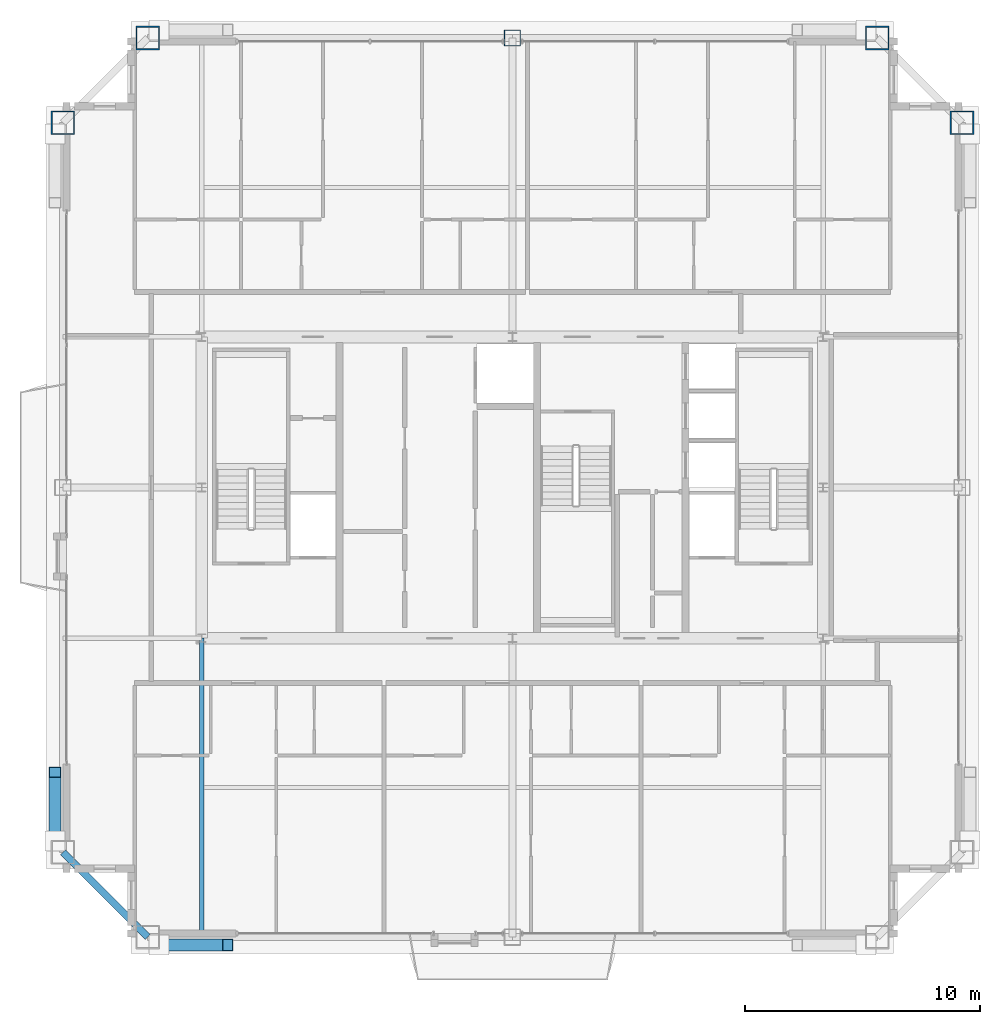
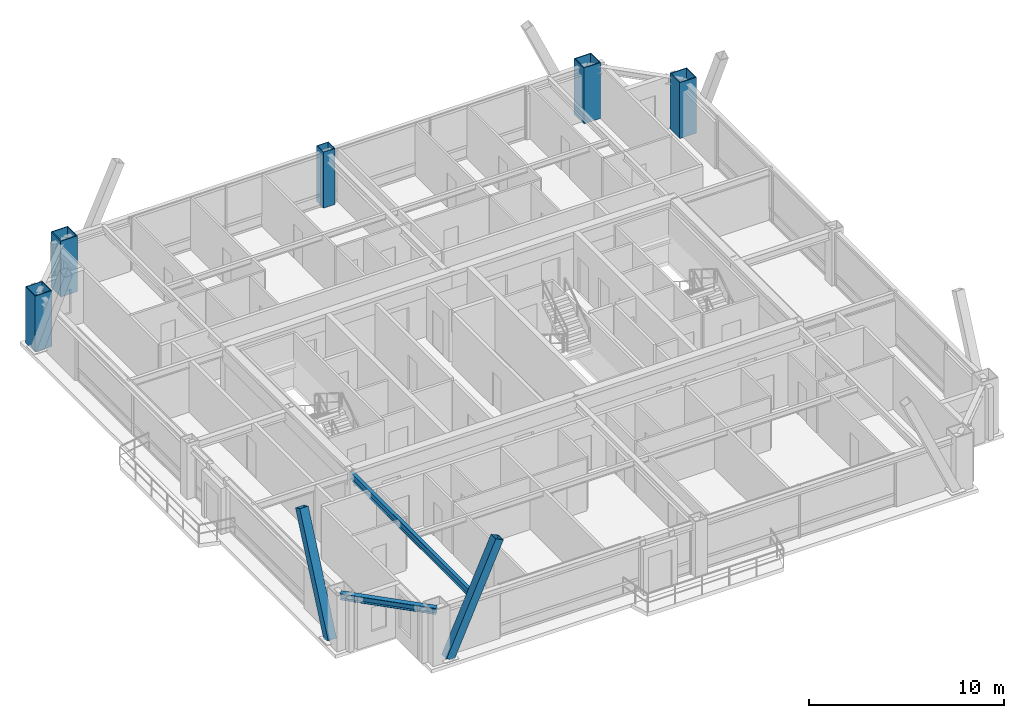
# One storey, part 3 of 33: 5 columns, 2 beams, 2 members.
"""IFC4 building model written with IfcOpenShell, lengths in metres."""

import ifcopenshell
import ifcopenshell.guid

model = None  # the IFC model being written
_history = None  # IfcOwnerHistory: only IFC2X3 demands one
_inside = {}  # id of a spatial element -> (the spatial element, [elements in it])
_under = {}  # id of a project, library or spatial element -> (it, [spatial elements below it])
_declared = {}  # id of a project -> (the project, [libraries it declares])
_typed = {}  # id of a type object -> (the type object, [elements of that type])
_made_of = {}  # id of a material, layer set ... -> (it, [elements and type objects made of it])


def new_model(schema):
    """Start an empty IFC model of exactly this schema.

    Asked for "IFC4X3", IfcOpenShell would pick the latest addendum, in which some entities
    have other attributes; the version numbers below select the first issue.
    IFC2X3 requires an IfcOwnerHistory on every rooted entity: one is made here for all.
    """
    global model, _history
    if schema == "IFC4X3":
        model = ifcopenshell.file(schema_version=(4, 3, 0, 0))
    else:
        model = ifcopenshell.file(schema=schema)
    _inside.clear()
    _under.clear()
    _declared.clear()
    _typed.clear()
    _made_of.clear()
    _history = None
    if model.schema == "IFC2X3":
        org = make("IfcOrganization", Name="unknown")
        user = make(
            "IfcPersonAndOrganization",
            ThePerson=make("IfcPerson", FamilyName="unknown"),
            TheOrganization=org,
        )
        app = make(
            "IfcApplication",
            ApplicationDeveloper=org,
            Version="unknown",
            ApplicationFullName="unknown",
            ApplicationIdentifier="unknown",
        )
        _history = make(
            "IfcOwnerHistory",
            OwningUser=user,
            OwningApplication=app,
            ChangeAction="ADDED",
            CreationDate=0,
        )
    return model


def make(cls, **values):
    """One entity of the class cls with the attributes given. An attribute that is None is left unset."""
    return model.create_entity(
        cls, **{name: value for name, value in values.items() if value is not None}
    )


def rooted(cls, **values):
    """An entity with a GlobalId (a new one), such as an element, a storey or a relation."""
    return make(cls, GlobalId=ifcopenshell.guid.new(), OwnerHistory=_history, **values)


def si_unit(unit_type, name, prefix=None):
    """IfcSIUnit, for example si_unit("LENGTHUNIT", "METRE", prefix="MILLI")."""
    return make("IfcSIUnit", UnitType=unit_type, Prefix=prefix, Name=name)


def assignment(units):
    """IfcUnitAssignment: the units of a project."""
    return None if units is None else make("IfcUnitAssignment", Units=units)


def point(xyz):
    """IfcCartesianPoint."""
    return None if xyz is None else make("IfcCartesianPoint", Coordinates=xyz)


def direction(xyz):
    """IfcDirection."""
    return None if xyz is None else make("IfcDirection", DirectionRatios=xyz)


def frame(location, z_axis=None, x_axis=None):
    """IfcAxis2Placement3D, a coordinate frame: its origin and axes. An axis left out is left unset."""
    return make(
        "IfcAxis2Placement3D",
        Location=point(location),
        Axis=direction(z_axis),
        RefDirection=direction(x_axis),
    )


def frame_2d(location, x_axis=None):
    """IfcAxis2Placement2D, a coordinate frame in the plane: its origin and x axis."""
    return make(
        "IfcAxis2Placement2D", Location=point(location), RefDirection=direction(x_axis)
    )


def origin():
    """The frame at (0, 0, 0) with its axes left unset."""
    return frame((0.0, 0.0, 0.0))


def origin_2d():
    """The frame at (0, 0) in the plane with its x axis left unset."""
    return frame_2d((0.0, 0.0))


def place(relative_to, where):
    """IfcLocalPlacement: puts the frame where relative to a parent placement (None: the world)."""
    return make(
        "IfcLocalPlacement", PlacementRelTo=relative_to, RelativePlacement=where
    )


def context(
    kind, dimensions, precision=None, world=None, true_north=None, identifier=None
):
    """IfcGeometricRepresentationContext, for example the 3D "Model" context."""
    return make(
        "IfcGeometricRepresentationContext",
        ContextIdentifier=identifier,
        ContextType=kind,
        CoordinateSpaceDimension=dimensions,
        Precision=precision,
        WorldCoordinateSystem=world,
        TrueNorth=true_north,
    )


def subcontext(parent, identifier, kind, view, scale=None):
    """IfcGeometricRepresentationSubContext, for example "Body" below "Model"."""
    return make(
        "IfcGeometricRepresentationSubContext",
        ContextIdentifier=identifier,
        ContextType=kind,
        ParentContext=parent,
        TargetScale=scale,
        TargetView=view,
    )


def project(units=None, contexts=None):
    """IfcProject with its units and contexts."""
    return rooted(
        "IfcProject",
        Name="project",
        RepresentationContexts=contexts,
        UnitsInContext=assignment(units),
    )


def spatial(cls, under=None, at=None, **own):
    """A site, building, storey or space (cls), placed at a placement, below another one or the project."""
    s = rooted(cls, ObjectPlacement=at, **own)
    if under is not None:
        _under.setdefault(under.id(), (under, []))[1].append(s)
    return s


def profile(cls, at=None, kind="AREA", **sizes):
    """A parametric profile (cls). Its sizes go by their IFC names, for example OverallWidth=200.0."""
    return make(cls, ProfileType=kind, Position=at, **sizes)


def hollow_rectangle(**sizes):
    """IfcRectangleHollowProfileDef."""
    return profile("IfcRectangleHollowProfileDef", **sizes)


def i_section(**sizes):
    """IfcIShapeProfileDef."""
    return profile("IfcIShapeProfileDef", **sizes)


def extrude(swept, where, along, depth):
    """IfcExtrudedAreaSolid: the profile swept, set in the frame where, extruded along a direction by depth."""
    return make(
        "IfcExtrudedAreaSolid",
        SweptArea=swept,
        Position=where,
        ExtrudedDirection=direction(along),
        Depth=depth,
    )


def shape(context_of_items, identifier, shape_type, items):
    """IfcShapeRepresentation: the items that make up one representation, for example the "Body"."""
    return make(
        "IfcShapeRepresentation",
        ContextOfItems=context_of_items,
        RepresentationIdentifier=identifier,
        RepresentationType=shape_type,
        Items=items,
    )


def source(mapping_origin, context_of_items, identifier, shape_type, items):
    """IfcRepresentationMap: a shape defined once, which mapped items show again and again."""
    return make(
        "IfcRepresentationMap",
        MappingOrigin=mapping_origin,
        MappedRepresentation=shape(context_of_items, identifier, shape_type, items),
    )


def transform(
    local_origin,
    x_axis=None,
    y_axis=None,
    z_axis=None,
    scale=None,
    scale2=None,
    scale3=None,
    uniform=True,
):
    """IfcCartesianTransformationOperator3D, or its non-uniform kind. x_axis, y_axis, z_axis: its Axis1, 2, 3."""
    if uniform:
        return make(
            "IfcCartesianTransformationOperator3D",
            Axis1=direction(x_axis),
            Axis2=direction(y_axis),
            LocalOrigin=point(local_origin),
            Scale=scale,
            Axis3=direction(z_axis),
        )
    return make(
        "IfcCartesianTransformationOperator3DnonUniform",
        Axis1=direction(x_axis),
        Axis2=direction(y_axis),
        LocalOrigin=point(local_origin),
        Scale=scale,
        Axis3=direction(z_axis),
        Scale2=scale2,
        Scale3=scale3,
    )


def mapped(mapping_source, mapping_target):
    """IfcMappedItem: shows the shape of a source again, moved by a transform."""
    return make(
        "IfcMappedItem", MappingSource=mapping_source, MappingTarget=mapping_target
    )


def material(Name=None, Category=None):
    """IfcMaterial."""
    return make("IfcMaterial", Name=Name, Category=Category)


def material_profile(
    of_material, cross_section, Name=None, Category=None, Priority=None
):
    """IfcMaterialProfile: a cross section and its material."""
    return make(
        "IfcMaterialProfile",
        Name=Name,
        Material=of_material,
        Profile=cross_section,
        Priority=Priority,
        Category=Category,
    )


def profile_set(profiles, Name=None, composite=None):
    """IfcMaterialProfileSet."""
    return make(
        "IfcMaterialProfileSet",
        Name=Name,
        MaterialProfiles=profiles,
        CompositeProfile=composite,
    )


def made_of(thing, what):
    """Note that an element or type object is made of a material, layer set ...; save() writes the relation."""
    if what is not None:
        _made_of.setdefault(what.id(), (what, []))[1].append(thing)
    return thing


def type_object(cls, material=None, **own):
    """A type object (cls), such as IfcWallType, which elements share."""
    return made_of(rooted(cls, **own), material)


def element(
    cls,
    number,
    at=None,
    inside=None,
    cuts=None,
    type_object=None,
    material=None,
    context=None,
    identifier="Body",
    shape_type=None,
    held_by="IfcProductDefinitionShape",
    body=None,
    shapes=None,
    **own,
):
    """One element of the class cls, such as IfcWall. Its Tag is "e" and its number.

    at: its placement. inside: the storey or other place that contains it. cuts: it is an
    opening in that element (IfcRelVoidsElement). A single representation is given by context,
    identifier, shape_type and body (its items); several are given by shapes. held_by: the class
    of the entity that holds the representations. save() writes the other relations.
    """
    e = rooted(cls, Tag="e%d" % number, ObjectPlacement=at, **own)
    if body is not None:
        shapes = [shape(context, identifier, shape_type, body)]
    if shapes is not None:
        e.Representation = make(held_by, Representations=shapes)
    if inside is not None:
        _inside.setdefault(inside.id(), (inside, []))[1].append(e)
    if cuts is not None:
        rooted(
            "IfcRelVoidsElement", RelatingBuildingElement=cuts, RelatedOpeningElement=e
        )
    if type_object is not None:
        _typed.setdefault(type_object.id(), (type_object, []))[1].append(e)
    return made_of(e, material)


def aggregate(whole, parts):
    """IfcRelAggregates: a whole, such as a stair, and the parts it consists of."""
    return rooted("IfcRelAggregates", RelatingObject=whole, RelatedObjects=parts)


def save(model, path):
    """Write the relations noted so far, then the file.

    IfcRelAggregates (storeys below a building ...), IfcRelContainedInSpatialStructure (elements
    in a storey), IfcRelDefinesByType, IfcRelAssociatesMaterial and IfcRelDeclares: one each for
    every whole, place, type object, material and project.
    """
    for whole, parts in _under.values():
        aggregate(whole, parts)
    for where, things in _inside.values():
        rooted(
            "IfcRelContainedInSpatialStructure",
            RelatedElements=things,
            RelatingStructure=where,
        )
    for kind, things in _typed.values():
        rooted("IfcRelDefinesByType", RelatedObjects=things, RelatingType=kind)
    for what, things in _made_of.values():
        rooted("IfcRelAssociatesMaterial", RelatedObjects=things, RelatingMaterial=what)
    for by, libraries in _declared.values():
        rooted("IfcRelDeclares", RelatingContext=by, RelatedDefinitions=libraries)
    model.write(path)


model = new_model("IFC4")

# Units and contexts
model_context = context("Model", 3, precision=1e-05, world=origin(), true_north=direction((0.0, 1.0)))
body_context = subcontext(model_context, "Body", "Model", "MODEL_VIEW")
ifc_project = project(units=[si_unit("LENGTHUNIT", "METRE"), si_unit("AREAUNIT", "SQUARE_METRE"), si_unit("VOLUMEUNIT", "CUBIC_METRE"), si_unit("PLANEANGLEUNIT", "RADIAN"), si_unit("MASSUNIT", "GRAM", prefix="KILO"), si_unit("THERMODYNAMICTEMPERATUREUNIT", "KELVIN"), si_unit("POWERUNIT", "WATT")], contexts=[model_context])

# Site, building, storey
site_placement = place(None, origin())
site = spatial("IfcSite", under=ifc_project, at=site_placement, CompositionType="ELEMENT")
building_placement = place(site_placement, origin())
building = spatial("IfcBuilding", under=site, at=building_placement, Name="Yuzanri Waterfront Tower", CompositionType="ELEMENT")
storey_placement = place(building_placement, frame((0.0, 0.0, 292.60009765625)))
storey = spatial("IfcBuildingStorey", under=building, at=storey_placement, Name="L78", CompositionType="ELEMENT", Elevation=292.60009765625)

# Columns
ifc_material_1 = material(Name="Steel Q355B", Category="steel")
ifc_material_profile_1 = material_profile(ifc_material_1, hollow_rectangle(XDim=0.699951171875, YDim=0.699951171875, WallThickness=0.031982421875, at=origin_2d()), Name="RHS 700x700x32")
ifc_profile_set_1 = profile_set([ifc_material_profile_1], Name="Steel Q355B")
column_type_1 = type_object("IfcColumnType", Name="Frame Column Q355B RHS 700x700x32", PredefinedType="COLUMN", material=ifc_profile_set_1)
shared_shape_1 = source(origin(), body_context, "Body", "SweptSolid", [
    extrude(hollow_rectangle(XDim=0.699951171875, YDim=0.699951171875, WallThickness=0.031982421875, at=origin_2d()), origin(), (0.0, 0.0, 1.0), 3.5),
])
column_placement = place(storey_placement, frame((37.0, 44.89990234375, 0.0), z_axis=(0.0, 0.0, 1.0), x_axis=(1.0, 0.0, 0.0)))
element("IfcColumn", 1, at=column_placement, inside=storey, type_object=column_type_1, Name="L78 Perimeter Frame Column N2", PredefinedType="COLUMN", context=body_context, shape_type="MappedRepresentation", body=[
    mapped(shared_shape_1, transform((0.0, 0.0, 0.0), scale=1.0)),
])
ifc_material_2 = material(Name="Steel Q390GJC", Category="steel")
ifc_material_profile_2 = material_profile(ifc_material_2, hollow_rectangle(XDim=1.0, YDim=1.0, WallThickness=0.048095703125, at=origin_2d()), Name="RHS 1000x1000x48")
ifc_profile_set_2 = profile_set([ifc_material_profile_2], Name="Steel Q390GJC")
column_type_2 = type_object("IfcColumnType", Name="Mega Column Q390GJC RHS 1000x1000x48", PredefinedType="COLUMN", material=ifc_profile_set_2)
shared_shape_2 = source(origin(), body_context, "Body", "SweptSolid", [
    extrude(hollow_rectangle(XDim=1.0, YDim=1.0, WallThickness=0.048095703125, at=origin_2d()), origin(), (0.0, 0.0, 1.0), 3.5),
])
for number, where, z_axis, x_axis, name in (
    (2, (21.5, 44.89990234375, 0.0), (0.0, 0.0, 1.0), (1.0, 0.0, 0.0), "L78 Perimeter Mega Column N1"),
    (3, (52.5, 44.89990234375, 0.0), (0.0, 0.0, 1.0), (1.0, 0.0, 0.0), "L78 Perimeter Mega Column N3"),
    (4, (17.89990234375, 41.300048828125, 0.0), (0.0, 0.0, 1.0), (1.0, 0.0, 0.0), "L78 Perimeter Mega Column W3"),
    (5, (56.10009765625, 41.300048828125, 0.0), (0.0, 0.0, 1.0), (1.0, 0.0, 0.0), "L78 Perimeter Mega Column E3"),
):
    element("IfcColumn", number, at=place(storey_placement, frame(where, z_axis=z_axis, x_axis=x_axis)), inside=storey, type_object=column_type_2, Name=name, PredefinedType="COLUMN", context=body_context, shape_type="MappedRepresentation", body=[
        mapped(shared_shape_2, transform((0.0, 0.0, 0.0), scale=1.0)),
    ])

# Beams
ifc_material_3 = material(Name="Steel Q355B", Category="steel")
ifc_material_profile_3 = material_profile(ifc_material_3, i_section(OverallWidth=0.300048828125, OverallDepth=0.389892578125, WebThickness=0.010009765625, FlangeThickness=0.01611328125, at=origin_2d()), Name="HM 390x300x10x16")
ifc_profile_set_3 = profile_set([ifc_material_profile_3], Name="Steel Q355B")
beam_type_1 = type_object("IfcBeamType", Name="Perimeter Spandrel Q355B HM 390x300", PredefinedType="SPANDREL", material=ifc_profile_set_3)
shared_shape_3 = source(origin(), body_context, "Body", "SweptSolid", [
    extrude(i_section(OverallWidth=0.300048828125, OverallDepth=0.389892578125, WebThickness=0.010009765625, FlangeThickness=0.01611328125, at=origin_2d()), origin(), (0.0, 0.0, 1.0), 5.09130859375),
])
beam_1_placement = place(storey_placement, frame((17.89990234375, 10.300048828125, 3.0849609375), z_axis=(0.707106781187, -0.707106781187, 0.0), x_axis=(0.707106781187, 0.707106781187, 0.0)))
element("IfcBeam", 6, at=beam_1_placement, inside=storey, type_object=beam_type_1, Name="L78 Perimeter Spandrel W1-S1", PredefinedType="SPANDREL", context=body_context, shape_type="MappedRepresentation", body=[
    mapped(shared_shape_3, transform((0.0, 0.0, 0.0), scale=1.0)),
])
ifc_material_4 = material(Name="Steel Q355B", Category="steel")
ifc_material_profile_4 = material_profile(ifc_material_4, i_section(OverallWidth=0.199951171875, OverallDepth=0.449951171875, WebThickness=0.009033203125, FlangeThickness=0.013916015625, at=origin_2d()), Name="HN 450x200x9x14")
ifc_profile_set_4 = profile_set([ifc_material_profile_4], Name="Steel Q355B")
beam_type_2 = type_object("IfcBeamType", Name="Secondary Floor Beam Q355B HN 450x200", PredefinedType="BEAM", material=ifc_profile_set_4)
shared_shape_4 = source(origin(), body_context, "Body", "SweptSolid", [
    extrude(i_section(OverallWidth=0.199951171875, OverallDepth=0.449951171875, WebThickness=0.009033203125, FlangeThickness=0.013916015625, at=origin_2d()), origin(), (0.0, 0.0, 1.0), 12.699951171875),
])
beam_2_placement = place(storey_placement, frame((23.800048828125, 19.39990234375, 3.054931640625), z_axis=(0.0, -1.0, 0.0), x_axis=(1.0, 0.0, 0.0)))
element("IfcBeam", 7, at=beam_2_placement, inside=storey, type_object=beam_type_2, Name="L78 South-West Core Line Beam", PredefinedType="BEAM", context=body_context, shape_type="MappedRepresentation", body=[
    mapped(shared_shape_4, transform((0.0, 0.0, 0.0), scale=1.0)),
])

# Members
ifc_material_5 = material(Name="Steel Q390GJC", Category="steel")
ifc_material_profile_5 = material_profile(ifc_material_5, hollow_rectangle(XDim=0.5, YDim=0.5, WallThickness=0.02197265625, at=origin_2d()), Name="RHS 500x500x22")
ifc_profile_set_5 = profile_set([ifc_material_profile_5], Name="Steel Q390GJC")
member_type = type_object("IfcMemberType", Name="Mega Brace Upper Q390GJC RHS 500x500x22", PredefinedType="BRACE", material=ifc_profile_set_5)
shared_shape_5 = source(origin(), body_context, "Body", "SweptSolid", [
    extrude(hollow_rectangle(XDim=0.5, YDim=0.5, WallThickness=0.02197265625, at=origin_2d()), origin(), (0.0, 0.0, 1.0), 7.125732421875),
])
for number, where, z_axis, x_axis, name in (
    (8, (21.97998046875, 6.360107421875, 0.179931640625), (0.409771952938, 0.0, 0.912187999584), (0.0, 1.0, 0.0), "L78-L79 Perimeter Mega-Brace S-L"),
    (9, (17.56005859375, 10.780029296875, 0.179931640625), (0.0, 0.409771952938, 0.912187999584), (-1.0, 0.0, 0.0), "L78-L79 Perimeter Mega-Brace W-L"),
):
    element("IfcMember", number, at=place(storey_placement, frame(where, z_axis=z_axis, x_axis=x_axis)), inside=storey, type_object=member_type, Name=name, PredefinedType="BRACE", context=body_context, shape_type="MappedRepresentation", body=[
        mapped(shared_shape_5, transform((0.0, 0.0, 0.0), scale=1.0)),
    ])

save(model, "model.ifc")
